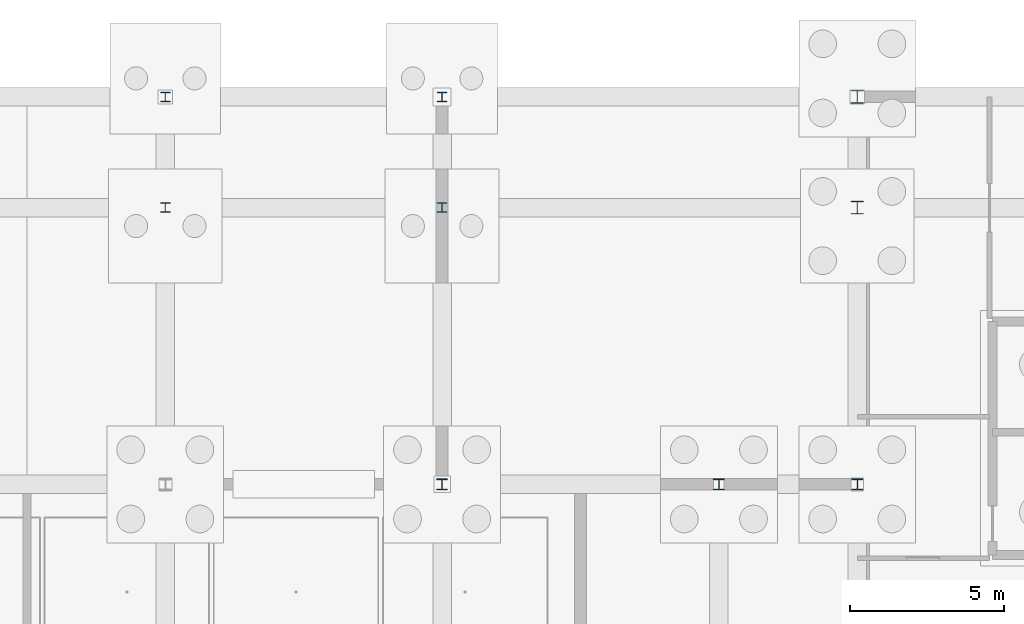
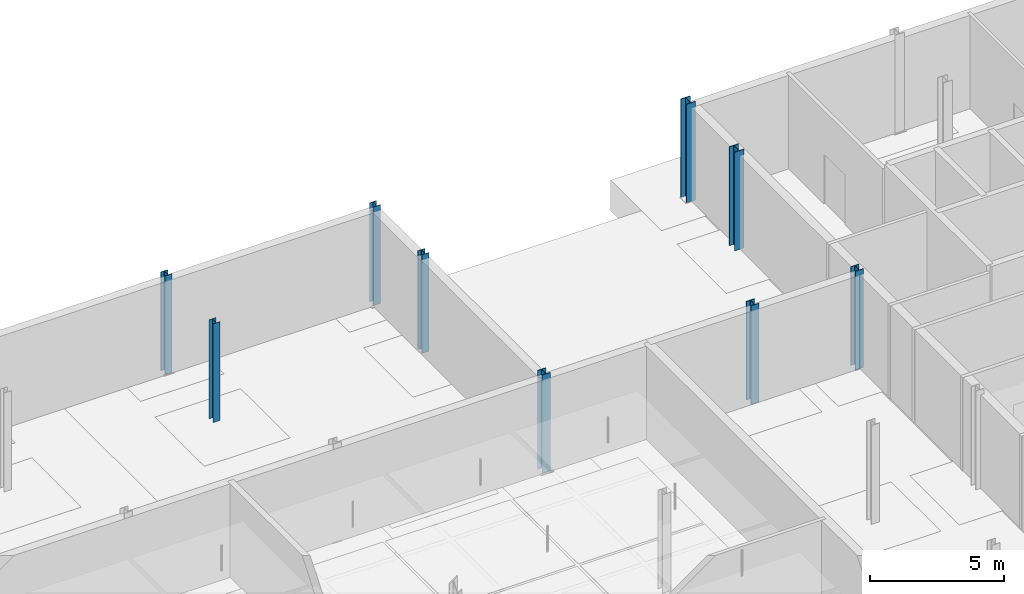
# One storey, part 14 of 48: 9 columns.
"""IFC4 building model written with IfcOpenShell, lengths in metres."""

from ifc_helpers import new_model, si_unit, direction, frame, origin, origin_2d, place, context, subcontext, project, spatial, i_section, extrude, material, material_profile, profile_set, type_object, element, save


model = new_model("IFC4")

# Units and contexts
model_context = context("Model", 3, precision=1e-05, world=origin(), true_north=direction((0.0, 1.0)))
body_context = subcontext(model_context, "Body", "Model", "MODEL_VIEW")
ifc_project = project(units=[si_unit("LENGTHUNIT", "METRE"), si_unit("AREAUNIT", "SQUARE_METRE"), si_unit("VOLUMEUNIT", "CUBIC_METRE"), si_unit("PLANEANGLEUNIT", "RADIAN"), si_unit("MASSUNIT", "GRAM", prefix="KILO"), si_unit("THERMODYNAMICTEMPERATUREUNIT", "KELVIN"), si_unit("POWERUNIT", "WATT")], contexts=[model_context])

# Site, building, storey
site_placement = place(None, origin())
site = spatial("IfcSite", under=ifc_project, at=site_placement, CompositionType="ELEMENT")
building_placement = place(site_placement, origin())
building = spatial("IfcBuilding", under=site, at=building_placement, Name="Tallowbark Science Centre", CompositionType="ELEMENT")
storey_placement = place(building_placement, frame((0.0, 0.0, -4.5)))
storey = spatial("IfcBuildingStorey", under=building, at=storey_placement, Name="B1", CompositionType="ELEMENT", Elevation=-4.5)

# Columns
ifc_material = material(Name="Structural Steel Grade 300PLUS (300 MPa)", Category="steel")
ifc_material_profile_1 = material_profile(ifc_material, i_section(OverallWidth=0.307373046875, OverallDepth=0.314697265625, WebThickness=0.011962890625, FlangeThickness=0.018798828125, FilletRadius=0.0166015625, at=origin_2d()), Name="310UC118")
ifc_profile_set_1 = profile_set([ifc_material_profile_1], Name="Structural Steel Grade 300PLUS (300 MPa)")
column_type_1 = type_object("IfcColumnType", Name="COL-UC310C", PredefinedType="COLUMN", material=ifc_profile_set_1)
for number, where, z_axis, x_axis, name in (
    (1, (90.0, 108.0, 0.0), (0.0, 0.0, 1.0), (1.0, 0.0, 0.0), "Column LAB-5_4 B1"),
    (2, (90.0, 111.60009765625, 0.0), (0.0, 0.0, 1.0), (1.0, 0.0, 0.0), "Column LAB-5_5 B1"),
    (3, (99.0, 108.0, 0.0), (0.0, 0.0, 1.0), (1.0, 0.0, 0.0), "Column LAB-6_4 B1"),
    (4, (99.0, 111.60009765625, 0.0), (0.0, 0.0, 1.0), (1.0, 0.0, 0.0), "Column LAB-6_5 B1"),
):
    element("IfcColumn", number, at=place(storey_placement, frame(where, z_axis=z_axis, x_axis=x_axis)), inside=storey, type_object=column_type_1, Name=name, PredefinedType="COLUMN", context=body_context, shape_type="SweptSolid", body=[
        extrude(i_section(OverallWidth=0.307373046875, OverallDepth=0.314697265625, WebThickness=0.011962890625, FlangeThickness=0.018798828125, FilletRadius=0.0166015625, at=origin_2d()), origin(), (0.0, 0.0, 1.0), 4.5),
    ])
ifc_material_profile_2 = material_profile(ifc_material, i_section(OverallWidth=0.35009765625, OverallDepth=0.35888671875, WebThickness=0.01611328125, FlangeThickness=0.02392578125, FilletRadius=0.013916015625, at=origin_2d()), Name="350WC197")
ifc_profile_set_2 = profile_set([ifc_material_profile_2], Name="Structural Steel Grade 300PLUS (300 MPa)")
column_type_2 = type_object("IfcColumnType", Name="COL-WC350", PredefinedType="COLUMN", material=ifc_profile_set_2)
for number, where, z_axis, x_axis, name in (
    (5, (99.0, 99.0, 0.0), (0.0, 0.0, 1.0), (1.0, 0.0, 0.0), "Column LAB-6_3 B1"),
    (6, (108.0, 99.0, 0.0), (0.0, 0.0, 1.0), (1.0, 0.0, 0.0), "Column LAB-7_3 B1"),
    (7, (112.5, 99.0, 0.0), (0.0, 0.0, 1.0), (1.0, 0.0, 0.0), "Column LAB-8_3 B1"),
):
    element("IfcColumn", number, at=place(storey_placement, frame(where, z_axis=z_axis, x_axis=x_axis)), inside=storey, type_object=column_type_2, Name=name, PredefinedType="COLUMN", context=body_context, shape_type="SweptSolid", body=[
        extrude(i_section(OverallWidth=0.35009765625, OverallDepth=0.35888671875, WebThickness=0.01611328125, FlangeThickness=0.02392578125, FilletRadius=0.013916015625, at=origin_2d()), origin(), (0.0, 0.0, 1.0), 4.5),
    ])
ifc_material_profile_3 = material_profile(ifc_material, i_section(OverallWidth=0.39990234375, OverallDepth=0.427978515625, WebThickness=0.02001953125, FlangeThickness=0.028076171875, FilletRadius=0.01611328125, at=origin_2d()), Name="400WC270")
ifc_profile_set_3 = profile_set([ifc_material_profile_3], Name="Structural Steel Grade 300PLUS (300 MPa)")
column_type_3 = type_object("IfcColumnType", Name="COL-WC400", PredefinedType="COLUMN", material=ifc_profile_set_3)
for number, where, z_axis, x_axis, name in (
    (8, (112.5, 108.0, 0.0), (0.0, 0.0, 1.0), (1.0, 0.0, 0.0), "Column OBS-0_4 B1"),
    (9, (112.5, 111.60009765625, 0.0), (0.0, 0.0, 1.0), (1.0, 0.0, 0.0), "Column OBS-0_5 B1"),
):
    element("IfcColumn", number, at=place(storey_placement, frame(where, z_axis=z_axis, x_axis=x_axis)), inside=storey, type_object=column_type_3, Name=name, PredefinedType="COLUMN", context=body_context, shape_type="SweptSolid", body=[
        extrude(i_section(OverallWidth=0.39990234375, OverallDepth=0.427978515625, WebThickness=0.02001953125, FlangeThickness=0.028076171875, FilletRadius=0.01611328125, at=origin_2d()), origin(), (0.0, 0.0, 1.0), 4.5),
    ])

save(model, "model.ifc")
